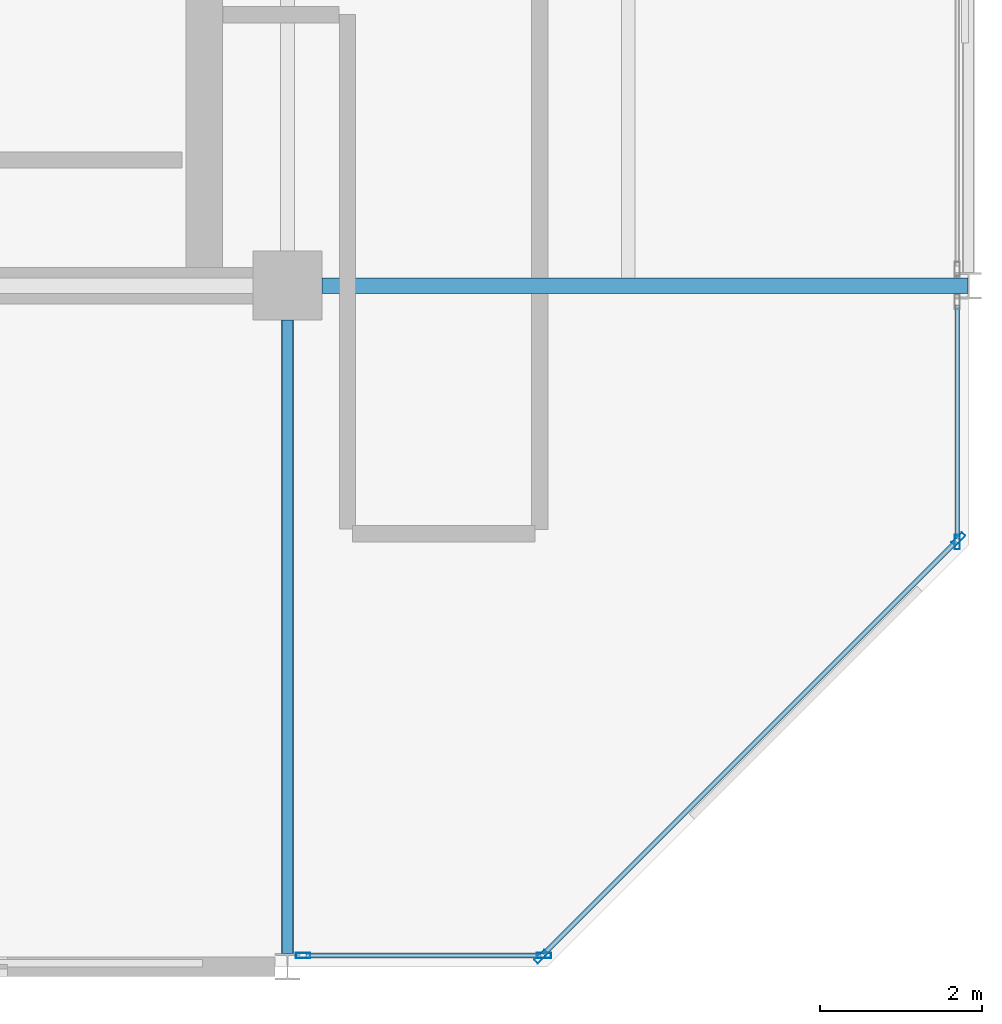
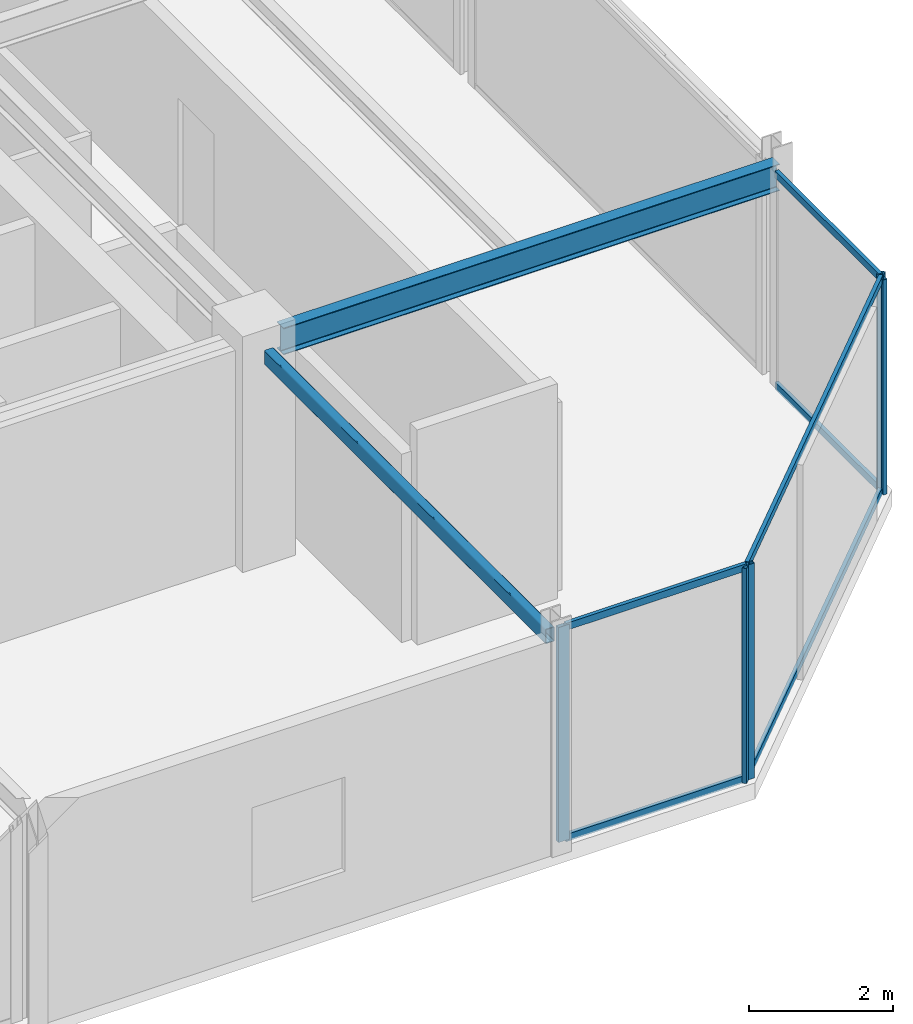
# One storey, part 14 of 26: 11 members, 2 beams, 3 elements without a shape of their own.
"""IFC4 building model written with IfcOpenShell, lengths in metres."""

from ifc_helpers import new_model, si_unit, direction, frame, origin, origin_2d, place, context, subcontext, project, spatial, hollow_rectangle, i_section, extrude, material, layer, layer_set, material_profile, profile_set, type_object, element, aggregate, save


model = new_model("IFC4")

# Units and contexts
model_context = context("Model", 3, precision=1e-05, world=origin(), true_north=direction((0.0, 1.0)))
body_context = subcontext(model_context, "Body", "Model", "MODEL_VIEW")
ifc_project = project(units=[si_unit("LENGTHUNIT", "METRE"), si_unit("AREAUNIT", "SQUARE_METRE"), si_unit("VOLUMEUNIT", "CUBIC_METRE"), si_unit("PLANEANGLEUNIT", "RADIAN"), si_unit("MASSUNIT", "GRAM", prefix="KILO")], contexts=[model_context])

# Site, building, storey
site_placement = place(None, origin())
site = spatial("IfcSite", under=ifc_project, at=site_placement, CompositionType="ELEMENT")
building_placement = place(site_placement, origin())
building = spatial("IfcBuilding", under=site, at=building_placement, Name="Nerrivon Quay Data Exchange", CompositionType="ELEMENT")
storey_placement = place(building_placement, frame((0.0, 0.0, 282.199951171875)))
storey = spatial("IfcBuildingStorey", under=building, at=storey_placement, Name="L67", CompositionType="ELEMENT", Elevation=282.199951171875)

# Beams
ifc_material_1 = material(Name="Steel Grade 350", Category="steel")
ifc_material_profile_1 = material_profile(ifc_material_1, i_section(OverallWidth=0.18994140625, OverallDepth=0.4541015625, WebThickness=0.008544921875, FlangeThickness=0.0126953125, FilletRadius=0.011474609375, at=origin_2d()), Name="460UB67.1")
ifc_profile_set_1 = profile_set([ifc_material_profile_1], Name="Steel Grade 350")
beam_type_1 = type_object("IfcBeamType", Name="BM-G6-460UB67", PredefinedType="BEAM", material=ifc_profile_set_1)
beam_1_placement = place(storey_placement, frame((34.02490234375, 8.39990234375, 3.423095703125), z_axis=(1.0, 0.0, 0.0), x_axis=(0.0, 1.0, 0.0)))
element("IfcBeam", 1, at=beam_1_placement, inside=storey, type_object=beam_type_1, Name="L67 EW Girder Y=8.4 (33.6..42.0)", PredefinedType="BEAM", context=body_context, shape_type="SweptSolid", body=[
    extrude(i_section(OverallWidth=0.18994140625, OverallDepth=0.4541015625, WebThickness=0.008544921875, FlangeThickness=0.0126953125, FilletRadius=0.011474609375, at=origin_2d()), origin(), (0.0, 0.0, 1.0), 7.96728515625),
])
ifc_material_2 = material(Name="Steel Grade C350L0 (350 MPa)", Category="steel")
ifc_material_profile_2 = material_profile(ifc_material_2, hollow_rectangle(XDim=0.14990234375, YDim=0.25, WallThickness=0.009033203125, InnerFilletRadius=0.013427734375, OuterFilletRadius=0.0224609375, at=origin_2d()), Name="250x150x9.0RHS")
ifc_profile_set_2 = profile_set([ifc_material_profile_2], Name="Steel Grade C350L0 (350 MPa)")
beam_type_2 = type_object("IfcBeamType", Name="BM-SP4-250x150RHS", PredefinedType="SPANDREL", material=ifc_profile_set_2)
beam_2_placement = place(storey_placement, frame((33.60009765625, 0.16357421875, 3.525146484375), z_axis=(0.0, 1.0, 0.0), x_axis=(-1.0, 0.0, 0.0)))
element("IfcBeam", 2, at=beam_2_placement, inside=storey, type_object=beam_type_2, Name="L67 NS Girder X=33.6 (0.0..8.4)", PredefinedType="SPANDREL", context=body_context, shape_type="SweptSolid", body=[
    extrude(hollow_rectangle(XDim=0.14990234375, YDim=0.25, WallThickness=0.009033203125, InnerFilletRadius=0.013427734375, OuterFilletRadius=0.0224609375, at=origin_2d()), origin(), (0.0, 0.0, 1.0), 7.8115234375),
])

# Curtain wall, members
ifc_material_3 = material(Name="Anodised aluminium 6063-T6", Category="aluminium")
ifc_layer = layer(ifc_material_3, 0.195068359375)
ifc_layer_set = layer_set([ifc_layer], Name="Anodised aluminium 6063-T6")
curtain_wall_type = type_object("IfcCurtainWallType", Name="CW-SYS-06", PredefinedType="NOTDEFINED", material=ifc_layer_set)
curtain_wall_1_placement = place(storey_placement, origin())
curtain_wall_1 = element("IfcCurtainWall", 3, at=curtain_wall_1_placement, inside=storey, type_object=curtain_wall_type, Name="L67 Unitised Curtain Wall 1", PredefinedType="NOTDEFINED")
ifc_material_profile_3 = material_profile(ifc_material_3, hollow_rectangle(XDim=0.06494140625, YDim=0.179931640625, WallThickness=0.00341796875, at=origin_2d()), Name="ALU-MULL-180x65")
ifc_profile_set_3 = profile_set([ifc_material_profile_3], Name="Anodised aluminium 6063-T6")
member_type_1 = type_object("IfcMemberType", Name="CWM-180x65", PredefinedType="MULLION", material=ifc_profile_set_3)
member_1_placement = place(storey_placement, frame((41.87451171875, 5.2724609375, 0.0), z_axis=(0.0, 0.0, 1.0), x_axis=(0.707106781187, -0.707106781187, 0.0)))
member_1 = element("IfcMember", 4, at=member_1_placement, type_object=member_type_1, Name="CW06 mullion 1", PredefinedType="MULLION", context=body_context, shape_type="SweptSolid", body=[
    extrude(hollow_rectangle(XDim=0.06494140625, YDim=0.179931640625, WallThickness=0.00341796875, at=origin_2d()), origin(), (0.0, 0.0, 1.0), 3.650146484375),
])
member_2_placement = place(storey_placement, frame((36.7275390625, 0.12548828125, 0.0), z_axis=(0.0, 0.0, 1.0), x_axis=(0.707106781187, -0.707106781187, 0.0)))
member_2 = element("IfcMember", 5, at=member_2_placement, type_object=member_type_1, Name="CW06 mullion 2", PredefinedType="MULLION", context=body_context, shape_type="SweptSolid", body=[
    extrude(hollow_rectangle(XDim=0.06494140625, YDim=0.179931640625, WallThickness=0.00341796875, at=origin_2d()), origin(), (0.0, 0.0, 1.0), 3.650146484375),
])

curtain_wall_2_placement = place(storey_placement, origin())
curtain_wall_2 = element("IfcCurtainWall", 6, at=curtain_wall_2_placement, inside=storey, type_object=curtain_wall_type, Name="L67 Unitised Curtain Wall 2", PredefinedType="NOTDEFINED")
member_3_placement = place(storey_placement, frame((36.762451171875, 0.139892578125, 0.0), z_axis=(0.0, 0.0, 1.0), x_axis=(0.0, -1.0, 0.0)))
member_3 = element("IfcMember", 7, at=member_3_placement, type_object=member_type_1, Name="CW06 mullion 1", PredefinedType="MULLION", context=body_context, shape_type="SweptSolid", body=[
    extrude(hollow_rectangle(XDim=0.06494140625, YDim=0.179931640625, WallThickness=0.00341796875, at=origin_2d()), origin(), (0.0, 0.0, 1.0), 3.650146484375),
])
member_4_placement = place(storey_placement, frame((33.79296875, 0.139892578125, 0.0), z_axis=(0.0, 0.0, 1.0), x_axis=(0.0, -1.0, 0.0)))
member_4 = element("IfcMember", 8, at=member_4_placement, type_object=member_type_1, Name="CW06 mullion 2", PredefinedType="MULLION", context=body_context, shape_type="SweptSolid", body=[
    extrude(hollow_rectangle(XDim=0.06494140625, YDim=0.179931640625, WallThickness=0.00341796875, at=origin_2d()), origin(), (0.0, 0.0, 1.0), 3.650146484375),
])

# Curtain wall, member
curtain_wall_3_placement = place(storey_placement, origin())
curtain_wall_3 = element("IfcCurtainWall", 9, at=curtain_wall_3_placement, inside=storey, type_object=curtain_wall_type, Name="L67 Unitised Curtain Wall 28", PredefinedType="NOTDEFINED")
member_5_placement = place(storey_placement, frame((41.860107421875, 5.237548828125, 0.0), z_axis=(0.0, 0.0, 1.0), x_axis=(1.0, 0.0, 0.0)))
member_5 = element("IfcMember", 10, at=member_5_placement, type_object=member_type_1, Name="CW06 mullion 2", PredefinedType="MULLION", context=body_context, shape_type="SweptSolid", body=[
    extrude(hollow_rectangle(XDim=0.06494140625, YDim=0.179931640625, WallThickness=0.00341796875, at=origin_2d()), origin(), (0.0, 0.0, 1.0), 3.650146484375),
])

# Member
ifc_material_profile_4 = material_profile(ifc_material_3, hollow_rectangle(XDim=0.06005859375, YDim=0.1201171875, WallThickness=0.003173828125, at=origin_2d()), Name="ALU-TRAN-120x60")
ifc_profile_set_4 = profile_set([ifc_material_profile_4], Name="Anodised aluminium 6063-T6")
member_type_2 = type_object("IfcMemberType", Name="CWT-120x60", PredefinedType="USERDEFINED", material=ifc_profile_set_4)
member_6_placement = place(storey_placement, frame((41.847900390625, 5.245849609375, 0.032470703125), z_axis=(-0.707106781187, -0.707106781187, 0.0), x_axis=(0.707106781187, -0.707106781187, 0.0)))
member_6 = element("IfcMember", 11, at=member_6_placement, type_object=member_type_2, Name="CW06 transom 1.1", ObjectType="TRANSOM", PredefinedType="USERDEFINED", context=body_context, shape_type="SweptSolid", body=[
    extrude(hollow_rectangle(XDim=0.06005859375, YDim=0.1201171875, WallThickness=0.003173828125, at=origin_2d()), origin(), (0.0, 0.0, 1.0), 7.20361328125),
])

member_7_placement = place(storey_placement, frame((41.847900390625, 5.245849609375, 3.617431640625), z_axis=(-0.707106781187, -0.707106781187, 0.0), x_axis=(0.707106781187, -0.707106781187, 0.0)))
member_7 = element("IfcMember", 12, at=member_7_placement, type_object=member_type_2, Name="CW06 transom 1.2", ObjectType="TRANSOM", PredefinedType="USERDEFINED", context=body_context, shape_type="SweptSolid", body=[
    extrude(hollow_rectangle(XDim=0.06005859375, YDim=0.1201171875, WallThickness=0.003173828125, at=origin_2d()), origin(), (0.0, 0.0, 1.0), 7.20361328125),
])

aggregate(curtain_wall_1, [member_1, member_2, member_6, member_7])

member_8_placement = place(storey_placement, frame((36.72509765625, 0.139892578125, 0.032470703125), z_axis=(-1.0, 0.0, 0.0), x_axis=(0.0, -1.0, 0.0)))
member_8 = element("IfcMember", 13, at=member_8_placement, type_object=member_type_2, Name="CW06 transom 1.1", ObjectType="TRANSOM", PredefinedType="USERDEFINED", context=body_context, shape_type="SweptSolid", body=[
    extrude(hollow_rectangle(XDim=0.06005859375, YDim=0.1201171875, WallThickness=0.003173828125, at=origin_2d()), origin(), (0.0, 0.0, 1.0), 2.89453125),
])

member_9_placement = place(storey_placement, frame((36.72509765625, 0.139892578125, 3.617431640625), z_axis=(-1.0, 0.0, 0.0), x_axis=(0.0, -1.0, 0.0)))
member_9 = element("IfcMember", 14, at=member_9_placement, type_object=member_type_2, Name="CW06 transom 1.2", ObjectType="TRANSOM", PredefinedType="USERDEFINED", context=body_context, shape_type="SweptSolid", body=[
    extrude(hollow_rectangle(XDim=0.06005859375, YDim=0.1201171875, WallThickness=0.003173828125, at=origin_2d()), origin(), (0.0, 0.0, 1.0), 2.89453125),
])

aggregate(curtain_wall_2, [member_3, member_4, member_8, member_9])

member_10_placement = place(storey_placement, frame((41.860107421875, 8.16162109375, 0.032470703125), z_axis=(0.0, -1.0, 0.0), x_axis=(1.0, 0.0, 0.0)))
member_10 = element("IfcMember", 15, at=member_10_placement, type_object=member_type_2, Name="CW06 transom 1.1", ObjectType="TRANSOM", PredefinedType="USERDEFINED", context=body_context, shape_type="SweptSolid", body=[
    extrude(hollow_rectangle(XDim=0.06005859375, YDim=0.1201171875, WallThickness=0.003173828125, at=origin_2d()), origin(), (0.0, 0.0, 1.0), 2.88671875),
])

member_11_placement = place(storey_placement, frame((41.860107421875, 8.16162109375, 3.617431640625), z_axis=(0.0, -1.0, 0.0), x_axis=(1.0, 0.0, 0.0)))
member_11 = element("IfcMember", 16, at=member_11_placement, type_object=member_type_2, Name="CW06 transom 1.2", ObjectType="TRANSOM", PredefinedType="USERDEFINED", context=body_context, shape_type="SweptSolid", body=[
    extrude(hollow_rectangle(XDim=0.06005859375, YDim=0.1201171875, WallThickness=0.003173828125, at=origin_2d()), origin(), (0.0, 0.0, 1.0), 2.88671875),
])

aggregate(curtain_wall_3, [member_5, member_10, member_11])

save(model, "model.ifc")
